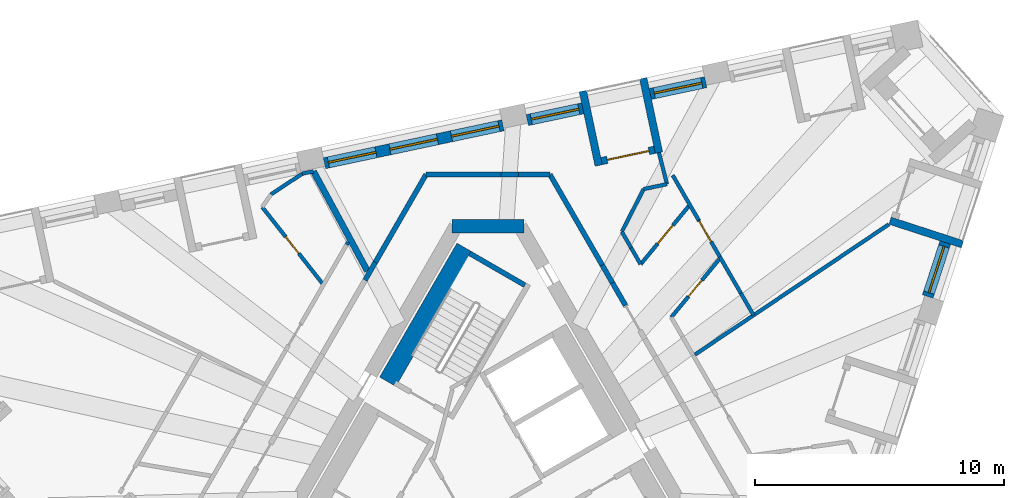
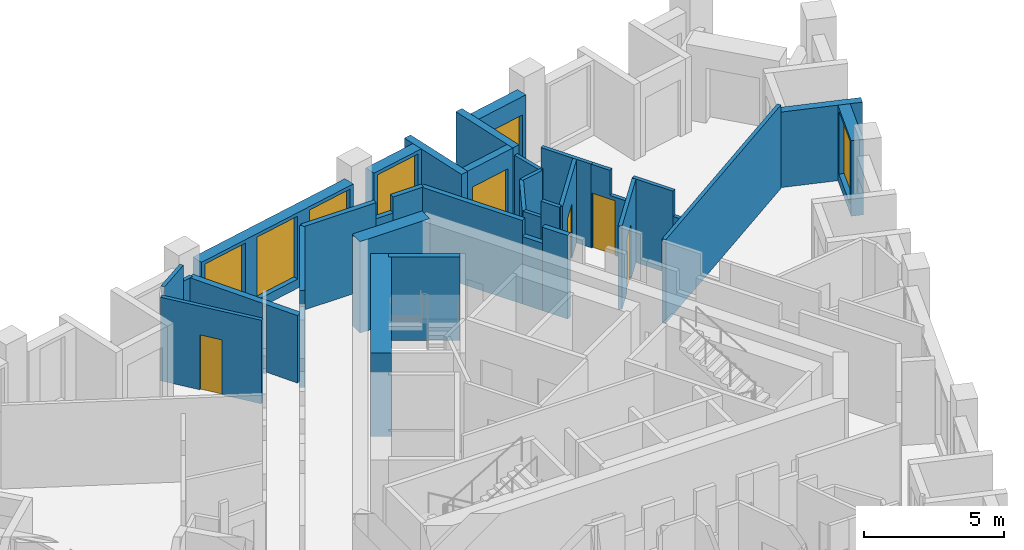
# One storey, part 7 of 12: 36 walls, 6 windows, 5 doors, 11 openings.
"""IFC4 building model written with IfcOpenShell, lengths in metres."""

import ifcopenshell
import ifcopenshell.guid

model = None  # the IFC model being written
_history = None  # IfcOwnerHistory: only IFC2X3 demands one
_inside = {}  # id of a spatial element -> (the spatial element, [elements in it])
_under = {}  # id of a project, library or spatial element -> (it, [spatial elements below it])
_declared = {}  # id of a project -> (the project, [libraries it declares])
_typed = {}  # id of a type object -> (the type object, [elements of that type])
_made_of = {}  # id of a material, layer set ... -> (it, [elements and type objects made of it])


def new_model(schema):
    """Start an empty IFC model of exactly this schema.

    Asked for "IFC4X3", IfcOpenShell would pick the latest addendum, in which some entities
    have other attributes; the version numbers below select the first issue.
    IFC2X3 requires an IfcOwnerHistory on every rooted entity: one is made here for all.
    """
    global model, _history
    if schema == "IFC4X3":
        model = ifcopenshell.file(schema_version=(4, 3, 0, 0))
    else:
        model = ifcopenshell.file(schema=schema)
    _inside.clear()
    _under.clear()
    _declared.clear()
    _typed.clear()
    _made_of.clear()
    _history = None
    if model.schema == "IFC2X3":
        org = make("IfcOrganization", Name="unknown")
        user = make(
            "IfcPersonAndOrganization",
            ThePerson=make("IfcPerson", FamilyName="unknown"),
            TheOrganization=org,
        )
        app = make(
            "IfcApplication",
            ApplicationDeveloper=org,
            Version="unknown",
            ApplicationFullName="unknown",
            ApplicationIdentifier="unknown",
        )
        _history = make(
            "IfcOwnerHistory",
            OwningUser=user,
            OwningApplication=app,
            ChangeAction="ADDED",
            CreationDate=0,
        )
    return model


def make(cls, **values):
    """One entity of the class cls with the attributes given. An attribute that is None is left unset."""
    return model.create_entity(
        cls, **{name: value for name, value in values.items() if value is not None}
    )


def rooted(cls, **values):
    """An entity with a GlobalId (a new one), such as an element, a storey or a relation."""
    return make(cls, GlobalId=ifcopenshell.guid.new(), OwnerHistory=_history, **values)


def si_unit(unit_type, name, prefix=None):
    """IfcSIUnit, for example si_unit("LENGTHUNIT", "METRE", prefix="MILLI")."""
    return make("IfcSIUnit", UnitType=unit_type, Prefix=prefix, Name=name)


def assignment(units):
    """IfcUnitAssignment: the units of a project."""
    return None if units is None else make("IfcUnitAssignment", Units=units)


def point(xyz):
    """IfcCartesianPoint."""
    return None if xyz is None else make("IfcCartesianPoint", Coordinates=xyz)


def direction(xyz):
    """IfcDirection."""
    return None if xyz is None else make("IfcDirection", DirectionRatios=xyz)


def frame(location, z_axis=None, x_axis=None):
    """IfcAxis2Placement3D, a coordinate frame: its origin and axes. An axis left out is left unset."""
    return make(
        "IfcAxis2Placement3D",
        Location=point(location),
        Axis=direction(z_axis),
        RefDirection=direction(x_axis),
    )


def frame_2d(location, x_axis=None):
    """IfcAxis2Placement2D, a coordinate frame in the plane: its origin and x axis."""
    return make(
        "IfcAxis2Placement2D", Location=point(location), RefDirection=direction(x_axis)
    )


def origin():
    """The frame at (0, 0, 0) with its axes left unset."""
    return frame((0.0, 0.0, 0.0))


def place(relative_to, where):
    """IfcLocalPlacement: puts the frame where relative to a parent placement (None: the world)."""
    return make(
        "IfcLocalPlacement", PlacementRelTo=relative_to, RelativePlacement=where
    )


def context(
    kind, dimensions, precision=None, world=None, true_north=None, identifier=None
):
    """IfcGeometricRepresentationContext, for example the 3D "Model" context."""
    return make(
        "IfcGeometricRepresentationContext",
        ContextIdentifier=identifier,
        ContextType=kind,
        CoordinateSpaceDimension=dimensions,
        Precision=precision,
        WorldCoordinateSystem=world,
        TrueNorth=true_north,
    )


def subcontext(parent, identifier, kind, view, scale=None):
    """IfcGeometricRepresentationSubContext, for example "Body" below "Model"."""
    return make(
        "IfcGeometricRepresentationSubContext",
        ContextIdentifier=identifier,
        ContextType=kind,
        ParentContext=parent,
        TargetScale=scale,
        TargetView=view,
    )


def project(units=None, contexts=None):
    """IfcProject with its units and contexts."""
    return rooted(
        "IfcProject",
        Name="project",
        RepresentationContexts=contexts,
        UnitsInContext=assignment(units),
    )


def spatial(cls, under=None, at=None, **own):
    """A site, building, storey or space (cls), placed at a placement, below another one or the project."""
    s = rooted(cls, ObjectPlacement=at, **own)
    if under is not None:
        _under.setdefault(under.id(), (under, []))[1].append(s)
    return s


def polyline(points):
    """IfcPolyline through the points."""
    return make("IfcPolyline", Points=[point(p) for p in points])


def profile(cls, at=None, kind="AREA", **sizes):
    """A parametric profile (cls). Its sizes go by their IFC names, for example OverallWidth=200.0."""
    return make(cls, ProfileType=kind, Position=at, **sizes)


def rectangle(**sizes):
    """IfcRectangleProfileDef."""
    return profile("IfcRectangleProfileDef", **sizes)


def outline(outer, holes=None, kind="AREA"):
    """IfcArbitraryClosedProfileDef: a profile drawn as a closed curve; with holes, ...WithVoids."""
    if holes is None:
        return make("IfcArbitraryClosedProfileDef", ProfileType=kind, OuterCurve=outer)
    return make(
        "IfcArbitraryProfileDefWithVoids",
        ProfileType=kind,
        OuterCurve=outer,
        InnerCurves=holes,
    )


def extrude(swept, where, along, depth):
    """IfcExtrudedAreaSolid: the profile swept, set in the frame where, extruded along a direction by depth."""
    return make(
        "IfcExtrudedAreaSolid",
        SweptArea=swept,
        Position=where,
        ExtrudedDirection=direction(along),
        Depth=depth,
    )


def shape(context_of_items, identifier, shape_type, items):
    """IfcShapeRepresentation: the items that make up one representation, for example the "Body"."""
    return make(
        "IfcShapeRepresentation",
        ContextOfItems=context_of_items,
        RepresentationIdentifier=identifier,
        RepresentationType=shape_type,
        Items=items,
    )


def material(Name=None, Category=None):
    """IfcMaterial."""
    return make("IfcMaterial", Name=Name, Category=Category)


def layer(
    of_material, thickness, ventilated=None, Name=None, Category=None, Priority=None
):
    """IfcMaterialLayer: one layer of a wall or slab, of a material (None: an air gap)."""
    return make(
        "IfcMaterialLayer",
        Material=of_material,
        LayerThickness=thickness,
        IsVentilated=ventilated,
        Name=Name,
        Category=Category,
        Priority=Priority,
    )


def layer_set(layers, Name=None):
    """IfcMaterialLayerSet."""
    return make("IfcMaterialLayerSet", MaterialLayers=layers, LayerSetName=Name)


def made_of(thing, what):
    """Note that an element or type object is made of a material, layer set ...; save() writes the relation."""
    if what is not None:
        _made_of.setdefault(what.id(), (what, []))[1].append(thing)
    return thing


def type_object(cls, material=None, **own):
    """A type object (cls), such as IfcWallType, which elements share."""
    return made_of(rooted(cls, **own), material)


def element(
    cls,
    number,
    at=None,
    inside=None,
    cuts=None,
    type_object=None,
    material=None,
    context=None,
    identifier="Body",
    shape_type=None,
    held_by="IfcProductDefinitionShape",
    body=None,
    shapes=None,
    **own,
):
    """One element of the class cls, such as IfcWall. Its Tag is "e" and its number.

    at: its placement. inside: the storey or other place that contains it. cuts: it is an
    opening in that element (IfcRelVoidsElement). A single representation is given by context,
    identifier, shape_type and body (its items); several are given by shapes. held_by: the class
    of the entity that holds the representations. save() writes the other relations.
    """
    e = rooted(cls, Tag="e%d" % number, ObjectPlacement=at, **own)
    if body is not None:
        shapes = [shape(context, identifier, shape_type, body)]
    if shapes is not None:
        e.Representation = make(held_by, Representations=shapes)
    if inside is not None:
        _inside.setdefault(inside.id(), (inside, []))[1].append(e)
    if cuts is not None:
        rooted(
            "IfcRelVoidsElement", RelatingBuildingElement=cuts, RelatedOpeningElement=e
        )
    if type_object is not None:
        _typed.setdefault(type_object.id(), (type_object, []))[1].append(e)
    return made_of(e, material)


def fill(opening, filler):
    """IfcRelFillsElement: the door or window that sits in an opening."""
    return rooted(
        "IfcRelFillsElement",
        RelatingOpeningElement=opening,
        RelatedBuildingElement=filler,
    )


def aggregate(whole, parts):
    """IfcRelAggregates: a whole, such as a stair, and the parts it consists of."""
    return rooted("IfcRelAggregates", RelatingObject=whole, RelatedObjects=parts)


def save(model, path):
    """Write the relations noted so far, then the file.

    IfcRelAggregates (storeys below a building ...), IfcRelContainedInSpatialStructure (elements
    in a storey), IfcRelDefinesByType, IfcRelAssociatesMaterial and IfcRelDeclares: one each for
    every whole, place, type object, material and project.
    """
    for whole, parts in _under.values():
        aggregate(whole, parts)
    for where, things in _inside.values():
        rooted(
            "IfcRelContainedInSpatialStructure",
            RelatedElements=things,
            RelatingStructure=where,
        )
    for kind, things in _typed.values():
        rooted("IfcRelDefinesByType", RelatedObjects=things, RelatingType=kind)
    for what, things in _made_of.values():
        rooted("IfcRelAssociatesMaterial", RelatedObjects=things, RelatingMaterial=what)
    for by, libraries in _declared.values():
        rooted("IfcRelDeclares", RelatingContext=by, RelatedDefinitions=libraries)
    model.write(path)


model = new_model("IFC4")

# Units and contexts
model_context = context("Model", 3, precision=1e-05, world=origin(), true_north=direction((0.0, 1.0)))
body_context = subcontext(model_context, "Body", "Model", "MODEL_VIEW")
ifc_project = project(units=[si_unit("LENGTHUNIT", "METRE"), si_unit("AREAUNIT", "SQUARE_METRE"), si_unit("VOLUMEUNIT", "CUBIC_METRE"), si_unit("PLANEANGLEUNIT", "RADIAN"), si_unit("MASSUNIT", "GRAM", prefix="KILO")], contexts=[model_context])

# Site, building, storey
site_placement = place(None, origin())
site = spatial("IfcSite", under=ifc_project, at=site_placement, CompositionType="ELEMENT")
building_placement = place(site_placement, origin())
building = spatial("IfcBuilding", under=site, at=building_placement, Name="Tramontana Tower", CompositionType="ELEMENT")
storey_placement = place(building_placement, frame((0.0, 0.0, 340.39990234375)))
storey = spatial("IfcBuildingStorey", under=building, at=storey_placement, Name="L78", CompositionType="ELEMENT", Elevation=340.39990234375)

# Walls
ifc_material_1 = material(Name="Concrete 70 MPa", Category="concrete")
ifc_layer_1 = layer(ifc_material_1, 0.550048828125)
ifc_layer_set_1 = layer_set([ifc_layer_1], Name="Core wall 550 70 MPa")
wall_type_1 = type_object("IfcWallType", Name="Core wall 550 70 MPa", PredefinedType="SHEAR", material=ifc_layer_set_1)
wall_1_placement = place(storey_placement, frame((1.443359375, 10.72509765625, 0.0), z_axis=(0.0, 0.0, 1.0), x_axis=(-1.0, 0.0, 0.0)))
element("IfcWall", 1, at=wall_1_placement, inside=storey, type_object=wall_type_1, Name="Core wall C0 L78", PredefinedType="SHEAR", context=body_context, shape_type="SweptSolid", body=[
    extrude(rectangle(XDim=2.88671875, YDim=0.550048828125, at=frame_2d((1.443359375, 0.0))), origin(), (0.0, 0.0, 1.0), 4.0),
])
ifc_material_2 = material(Name="Blockwork", Category="masonry")
ifc_layer_2 = layer(ifc_material_2, 0.199951171875)
ifc_layer_set_2 = layer_set([ifc_layer_2], Name="ENTRY WALL 200")
wall_type_2 = type_object("IfcWallType", Name="ENTRY WALL 200", PredefinedType="SOLIDWALL", material=ifc_layer_set_2)
wall_2_placement = place(storey_placement, frame((-4.9287109375, 8.563232421875, 0.0), z_axis=(0.0, 0.0, 1.0), x_axis=(0.500046299512, 0.865998671098, 0.0)))
element("IfcWall", 2, at=wall_2_placement, inside=storey, type_object=wall_type_2, Name="Wall v81-ew3-9", PredefinedType="SOLIDWALL", context=body_context, shape_type="SweptSolid", body=[
    extrude(rectangle(XDim=0.82666015625, YDim=0.199951171875, at=frame_2d((0.413330078125, 0.0))), origin(), (0.0, 0.0, 1.0), 2.9501953125),
])
wall_3_placement = place(storey_placement, frame((-4.515380859375, 9.279052734375, 0.0), z_axis=(0.0, 0.0, 1.0), x_axis=(0.499975428181, 0.866039589866, 0.0)))
element("IfcWall", 3, at=wall_3_placement, inside=storey, type_object=wall_type_2, Name="Wall v81-ew3-10", PredefinedType="SOLIDWALL", context=body_context, shape_type="SweptSolid", body=[
    extrude(rectangle(XDim=4.065673828125, YDim=0.199951171875, at=frame_2d((2.03271484375, 0.0))), origin(), (0.0, 0.0, 1.0), 3.650146484375),
])
wall_4_placement = place(storey_placement, frame((-2.482666015625, 12.800048828125, 0.0), z_axis=(0.0, 0.0, 1.0), x_axis=(1.0, 0.0, 0.0)))
element("IfcWall", 4, at=wall_4_placement, inside=storey, type_object=wall_type_2, Name="Wall v81-ew4-0", PredefinedType="SOLIDWALL", context=body_context, shape_type="SweptSolid", body=[
    extrude(rectangle(XDim=3.0029296875, YDim=0.199951171875, at=frame_2d((1.50146484375, 0.0))), origin(), (0.0, 0.0, 1.0), 3.650146484375),
])
wall_5_placement = place(storey_placement, frame((0.520263671875, 12.800048828125, 0.0), z_axis=(0.0, 0.0, 1.0), x_axis=(1.0, 0.0, 0.0)))
element("IfcWall", 5, at=wall_5_placement, inside=storey, type_object=wall_type_2, Name="Wall v81-ew4-1", PredefinedType="SOLIDWALL", context=body_context, shape_type="SweptSolid", body=[
    extrude(rectangle(XDim=0.701416015625, YDim=0.199951171875, at=frame_2d((0.3505859375, 0.0))), origin(), (0.0, 0.0, 1.0), 2.9501953125),
])
wall_6_placement = place(storey_placement, frame((1.2216796875, 12.800048828125, 0.0), z_axis=(0.0, 0.0, 1.0), x_axis=(1.0, 0.0, 0.0)))
element("IfcWall", 6, at=wall_6_placement, inside=storey, type_object=wall_type_2, Name="Wall v81-ew4-2", PredefinedType="SOLIDWALL", context=body_context, shape_type="SweptSolid", body=[
    extrude(rectangle(XDim=1.260986328125, YDim=0.199951171875, at=frame_2d((0.63037109375, 0.0))), origin(), (0.0, 0.0, 1.0), 3.650146484375),
])
wall_7_placement = place(storey_placement, frame((2.482666015625, 12.800048828125, 0.0), z_axis=(0.0, 0.0, 1.0), x_axis=(0.499982771656, -0.866035350345, 0.0)))
element("IfcWall", 7, at=wall_7_placement, inside=storey, type_object=wall_type_2, Name="Wall v81-ew5-0", PredefinedType="SOLIDWALL", context=body_context, shape_type="SweptSolid", body=[
    extrude(rectangle(XDim=4.194580078125, YDim=0.199951171875, at=frame_2d((2.09716796875, 0.0))), origin(), (0.0, 0.0, 1.0), 3.650146484375),
])
wall_8_placement = place(storey_placement, frame((4.579833984375, 9.16748046875, 0.0), z_axis=(0.0, 0.0, 1.0), x_axis=(0.499945576647, -0.866056822842, 0.0)))
element("IfcWall", 8, at=wall_8_placement, inside=storey, type_object=wall_type_2, Name="Wall v81-ew5-1", PredefinedType="SOLIDWALL", context=body_context, shape_type="SweptSolid", body=[
    extrude(rectangle(XDim=0.82080078125, YDim=0.199951171875, at=frame_2d((0.410400390625, 0.0))), origin(), (0.0, 0.0, 1.0), 2.9501953125),
])
wall_9_placement = place(storey_placement, frame((4.990234375, 8.45654296875, 0.0), z_axis=(0.0, 0.0, 1.0), x_axis=(0.500064554934, -0.865988129768, 0.0)))
element("IfcWall", 9, at=wall_9_placement, inside=storey, type_object=wall_type_2, Name="Wall v81-ew5-2", PredefinedType="SOLIDWALL", context=body_context, shape_type="SweptSolid", body=[
    extrude(rectangle(XDim=1.050048828125, YDim=0.199951171875, at=frame_2d((0.52490234375, 0.0))), origin(), (0.0, 0.0, 1.0), 3.650146484375),
])

# Wall, opening, window
ifc_material_3 = material(Name="Precast concrete 60 MPa", Category="concrete")
ifc_layer_3 = layer(ifc_material_3, 0.449951171875)
ifc_layer_set_3 = layer_set([ifc_layer_3], Name="Precast concrete 60 MPa, 450 mm")
wall_type_3 = type_object("IfcWallType", Name="EW1 Stone-faced precast wall 450", PredefinedType="SOLIDWALL", material=ifc_layer_set_3)
wall_10_placement = place(storey_placement, frame((17.632080078125, 7.9091796875, 0.0), z_axis=(0.0, 0.0, 1.0), x_axis=(0.309027740273, 0.951053024674, 0.0)))
wall_10 = element("IfcWall", 10, at=wall_10_placement, inside=storey, type_object=wall_type_3, Name="External wall L78 face 1 bay 5", PredefinedType="SOLIDWALL", context=body_context, shape_type="SweptSolid", body=[
    extrude(rectangle(XDim=2.271240234375, YDim=0.449951171875, at=frame_2d((1.1357421875, 0.0))), origin(), (0.0, 0.0, 1.0), 3.300048828125),
])
opening_1_placement = place(wall_10_placement, frame((0.16064453125, 0.0, 0.39990234375)))
opening_1 = element("IfcOpeningElement", 11, at=opening_1_placement, cuts=wall_10, Name="Opening M3", PredefinedType="OPENING", context=body_context, shape_type="SweptSolid", body=[
    extrude(rectangle(XDim=1.949951171875, YDim=2.75, at=frame_2d((0.97509765625, 1.375))), frame((0.0, 0.23486328125, 0.0), z_axis=(0.0, -1.0, 0.0), x_axis=(1.0, 0.0, 0.0)), (0.0, 0.0, 1.0), 0.469970703125),
])
ifc_material_4 = material(Name="Aluminum frame, double glazing unit", Category="aluminium")
window_type_1 = type_object("IfcWindowType", Name="M3 Window 1.95 x 2.75", PartitioningType="SINGLE_PANEL", PredefinedType="WINDOW", material=ifc_material_4)
window_1_placement = place(opening_1_placement, origin())
window_1 = element("IfcWindow", 12, at=window_1_placement, inside=storey, type_object=window_type_1, Name="Window M3 L78 face 1 module 13", OverallHeight=2.75, OverallWidth=1.949951171875, PartitioningType="SINGLE_PANEL", PredefinedType="WINDOW", context=body_context, shape_type="SweptSolid", body=[
    extrude(rectangle(XDim=1.949951171875, YDim=2.75, at=frame_2d((0.97509765625, 1.375))), frame((0.0, 0.030029296875, 0.0), z_axis=(0.0, -1.0, 0.0), x_axis=(1.0, 0.0, 0.0)), (0.0, 0.0, 1.0), 0.06005859375),
])
fill(opening_1, window_1)

wall_11_placement = place(storey_placement, frame((8.73095703125, 16.500732421875, 0.0), z_axis=(0.0, 0.0, 1.0), x_axis=(-0.978153386925, -0.207884467067, 0.0)))
wall_11 = element("IfcWall", 13, at=wall_11_placement, inside=storey, type_object=wall_type_3, Name="External wall L78 face 2 bay 2", PredefinedType="SOLIDWALL", context=body_context, shape_type="SweptSolid", body=[
    extrude(rectangle(XDim=2.271240234375, YDim=0.449951171875, at=frame_2d((1.1357421875, 0.0))), origin(), (0.0, 0.0, 1.0), 3.300048828125),
])
opening_2_placement = place(wall_11_placement, frame((0.16064453125, 0.0, 0.39990234375)))
opening_2 = element("IfcOpeningElement", 14, at=opening_2_placement, cuts=wall_11, Name="Opening M3L", PredefinedType="OPENING", context=body_context, shape_type="SweptSolid", body=[
    extrude(rectangle(XDim=1.949951171875, YDim=2.10009765625, at=frame_2d((0.97509765625, 1.050048828125))), frame((0.0, 0.23486328125, 0.0), z_axis=(0.0, -1.0, 0.0), x_axis=(1.0, 0.0, 0.0)), (0.0, 0.0, 1.0), 0.469970703125),
])
ifc_material_5 = material(Name="Aluminum frame, double glazing unit", Category="aluminium")
window_type_2 = type_object("IfcWindowType", Name="M3L Window 1.95 x 2.1", PartitioningType="SINGLE_PANEL", PredefinedType="WINDOW", material=ifc_material_5)
window_2_placement = place(opening_2_placement, origin())
window_2 = element("IfcWindow", 15, at=window_2_placement, inside=storey, type_object=window_type_2, Name="Window M3L L78 face 2 module 4", OverallHeight=2.10009765625, OverallWidth=1.949951171875, PartitioningType="SINGLE_PANEL", PredefinedType="WINDOW", context=body_context, shape_type="SweptSolid", body=[
    extrude(rectangle(XDim=1.949951171875, YDim=2.10009765625, at=frame_2d((0.97509765625, 1.050048828125))), frame((0.0, 0.030029296875, 0.0), z_axis=(0.0, -1.0, 0.0), x_axis=(1.0, 0.0, 0.0)), (0.0, 0.0, 1.0), 0.06005859375),
])
fill(opening_2, window_2)

wall_12_placement = place(storey_placement, frame((3.798583984375, 15.452392578125, 0.0), z_axis=(0.0, 0.0, 1.0), x_axis=(-0.978153386925, -0.207884467067, 0.0)))
wall_12 = element("IfcWall", 16, at=wall_12_placement, inside=storey, type_object=wall_type_3, Name="External wall L78 face 2 bay 2", PredefinedType="SOLIDWALL", context=body_context, shape_type="SweptSolid", body=[
    extrude(rectangle(XDim=2.271240234375, YDim=0.449951171875, at=frame_2d((1.1357421875, 0.0))), origin(), (0.0, 0.0, 1.0), 3.300048828125),
])
opening_3_placement = place(wall_12_placement, frame((0.16064453125, 0.0, 0.39990234375)))
opening_3 = element("IfcOpeningElement", 17, at=opening_3_placement, cuts=wall_12, Name="Opening M3", PredefinedType="OPENING", context=body_context, shape_type="SweptSolid", body=[
    extrude(rectangle(XDim=1.949951171875, YDim=2.75, at=frame_2d((0.97509765625, 1.375))), frame((0.0, 0.23486328125, 0.0), z_axis=(0.0, -1.0, 0.0), x_axis=(1.0, 0.0, 0.0)), (0.0, 0.0, 1.0), 0.469970703125),
])
window_3_placement = place(opening_3_placement, origin())
window_3 = element("IfcWindow", 18, at=window_3_placement, inside=storey, type_object=window_type_1, Name="Window M3 L78 face 2 module 6", OverallHeight=2.75, OverallWidth=1.949951171875, PartitioningType="SINGLE_PANEL", PredefinedType="WINDOW", context=body_context, shape_type="SweptSolid", body=[
    extrude(rectangle(XDim=1.949951171875, YDim=2.75, at=frame_2d((0.97509765625, 1.375))), frame((0.0, 0.030029296875, 0.0), z_axis=(0.0, -1.0, 0.0), x_axis=(1.0, 0.0, 0.0)), (0.0, 0.0, 1.0), 0.06005859375),
])
fill(opening_3, window_3)

# Wall, openings, windows
wall_13_placement = place(storey_placement, frame((0.5986328125, 14.772216796875, 0.0), z_axis=(0.0, 0.0, 1.0), x_axis=(-0.978151299843, -0.207894287118, 0.0)))
wall_13 = element("IfcWall", 19, at=wall_13_placement, inside=storey, type_object=wall_type_3, Name="External wall L78 face 2 bay 3", PredefinedType="SOLIDWALL", context=body_context, shape_type="SweptSolid", body=[
    extrude(rectangle(XDim=7.31396484375, YDim=0.449951171875, at=frame_2d((3.656982421875, 0.0))), origin(), (0.0, 0.0, 1.0), 3.300048828125),
])
opening_4_placement = place(wall_13_placement, frame((0.16064453125, 0.0, 0.39990234375)))
opening_4 = element("IfcOpeningElement", 20, at=opening_4_placement, cuts=wall_13, Name="Opening M3", PredefinedType="OPENING", context=body_context, shape_type="SweptSolid", body=[
    extrude(rectangle(XDim=1.949951171875, YDim=2.75, at=frame_2d((0.97509765625, 1.375))), frame((0.0, 0.23486328125, 0.0), z_axis=(0.0, -1.0, 0.0), x_axis=(1.0, 0.0, 0.0)), (0.0, 0.0, 1.0), 0.469970703125),
])
opening_5_placement = place(wall_13_placement, frame((2.681884765625, 0.0, 0.39990234375)))
opening_5 = element("IfcOpeningElement", 21, at=opening_5_placement, cuts=wall_13, Name="Opening M3", PredefinedType="OPENING", context=body_context, shape_type="SweptSolid", body=[
    extrude(rectangle(XDim=1.949951171875, YDim=2.75, at=frame_2d((0.97509765625, 1.375))), frame((0.0, 0.23486328125, 0.0), z_axis=(0.0, -1.0, 0.0), x_axis=(1.0, 0.0, 0.0)), (0.0, 0.0, 1.0), 0.469970703125),
])
opening_6_placement = place(wall_13_placement, frame((5.203125, 0.0, 0.39990234375)))
opening_6 = element("IfcOpeningElement", 22, at=opening_6_placement, cuts=wall_13, Name="Opening M3", PredefinedType="OPENING", context=body_context, shape_type="SweptSolid", body=[
    extrude(rectangle(XDim=1.949951171875, YDim=2.75, at=frame_2d((0.97509765625, 1.375))), frame((0.0, 0.23486328125, 0.0), z_axis=(0.0, -1.0, 0.0), x_axis=(1.0, 0.0, 0.0)), (0.0, 0.0, 1.0), 0.469970703125),
])
window_4_placement = place(opening_4_placement, origin())
window_4 = element("IfcWindow", 23, at=window_4_placement, inside=storey, type_object=window_type_1, Name="Window M3 L78 face 2 module 7", OverallHeight=2.75, OverallWidth=1.949951171875, PartitioningType="SINGLE_PANEL", PredefinedType="WINDOW", context=body_context, shape_type="SweptSolid", body=[
    extrude(rectangle(XDim=1.949951171875, YDim=2.75, at=frame_2d((0.97509765625, 1.375))), frame((0.0, 0.030029296875, 0.0), z_axis=(0.0, -1.0, 0.0), x_axis=(1.0, 0.0, 0.0)), (0.0, 0.0, 1.0), 0.06005859375),
])
fill(opening_4, window_4)
window_5_placement = place(opening_5_placement, origin())
window_5 = element("IfcWindow", 24, at=window_5_placement, inside=storey, type_object=window_type_1, Name="Window M3 L78 face 2 module 8", OverallHeight=2.75, OverallWidth=1.949951171875, PartitioningType="SINGLE_PANEL", PredefinedType="WINDOW", context=body_context, shape_type="SweptSolid", body=[
    extrude(rectangle(XDim=1.949951171875, YDim=2.75, at=frame_2d((0.97509765625, 1.375))), frame((0.0, 0.030029296875, 0.0), z_axis=(0.0, -1.0, 0.0), x_axis=(1.0, 0.0, 0.0)), (0.0, 0.0, 1.0), 0.06005859375),
])
fill(opening_5, window_5)
window_6_placement = place(opening_6_placement, origin())
window_6 = element("IfcWindow", 25, at=window_6_placement, inside=storey, type_object=window_type_1, Name="Window M3 L78 face 2 module 9", OverallHeight=2.75, OverallWidth=1.949951171875, PartitioningType="SINGLE_PANEL", PredefinedType="WINDOW", context=body_context, shape_type="SweptSolid", body=[
    extrude(rectangle(XDim=1.949951171875, YDim=2.75, at=frame_2d((0.97509765625, 1.375))), frame((0.0, 0.030029296875, 0.0), z_axis=(0.0, -1.0, 0.0), x_axis=(1.0, 0.0, 0.0)), (0.0, 0.0, 1.0), 0.06005859375),
])
fill(opening_6, window_6)

# Wall
ifc_material_6 = material(Name="Precast concrete 60 MPa", Category="concrete")
ifc_layer_4 = layer(ifc_material_6, 0.300048828125)
ifc_layer_set_4 = layer_set([ifc_layer_4], Name="LW1 Stone-faced loggia wall 300")
wall_type_4 = type_object("IfcWallType", Name="LW1 Stone-faced loggia wall 300", PredefinedType="SOLIDWALL", material=ifc_layer_set_4)
wall_14_placement = place(storey_placement, frame((19.022216796875, 10.00341796875, 0.0), z_axis=(0.0, 0.0, 1.0), x_axis=(-0.951041715693, 0.309062542235, 0.0)))
element("IfcWall", 26, at=wall_14_placement, inside=storey, type_object=wall_type_4, Name="Loggia return L78 G8S1.13a", PredefinedType="SOLIDWALL", context=body_context, shape_type="SweptSolid", body=[
    extrude(rectangle(XDim=3.050048828125, YDim=0.300048828125, at=frame_2d((1.52490234375, 0.0))), origin(), (0.0, 0.0, 1.0), 3.300048828125),
])

# Wall, opening, door
wall_15_placement = place(storey_placement, frame((6.678466796875, 13.789794921875, 0.0), z_axis=(0.0, 0.0, 1.0), x_axis=(-0.978153135692, -0.207885649183, 0.0)))
wall_15 = element("IfcWall", 27, at=wall_15_placement, inside=storey, type_object=wall_type_4, Name="Loggia wall L78 G8S2.4", PredefinedType="SOLIDWALL", context=body_context, shape_type="SweptSolid", body=[
    extrude(rectangle(XDim=2.17138671875, YDim=0.300048828125, at=frame_2d((1.085693359375, 0.0))), origin(), (0.0, 0.0, 1.0), 3.300048828125),
])
opening_7_placement = place(wall_15_placement, frame((0.235595703125, 0.0, 0.0)))
opening_7 = element("IfcOpeningElement", 28, at=opening_7_placement, cuts=wall_15, Name="Opening BD-8S2-04", PredefinedType="OPENING", context=body_context, shape_type="SweptSolid", body=[
    extrude(rectangle(XDim=1.699951171875, YDim=2.5, at=frame_2d((0.85009765625, 1.25))), frame((0.0, 0.159912109375, 0.0), z_axis=(0.0, -1.0, 0.0), x_axis=(1.0, 0.0, 0.0)), (0.0, 0.0, 1.0), 0.320068359375),
])
ifc_material_7 = material(Name="Aluminum frame, double glazing unit", Category="aluminium")
door_type_1 = type_object("IfcDoorType", Name="BD3 Sliding door 1.7 x 2.5", OperationType="SLIDING_TO_LEFT", PredefinedType="DOOR", material=ifc_material_7)
door_1_placement = place(opening_7_placement, origin())
door_1 = element("IfcDoor", 29, at=door_1_placement, inside=storey, type_object=door_type_1, Name="Loggia door L78 G8S2.4", OperationType="SLIDING_TO_LEFT", OverallHeight=2.5, OverallWidth=1.699951171875, PredefinedType="DOOR", context=body_context, shape_type="SweptSolid", body=[
    extrude(rectangle(XDim=1.699951171875, YDim=2.5, at=frame_2d((0.85009765625, 1.25))), frame((0.0, 0.02490234375, 0.0), z_axis=(0.0, -1.0, 0.0), x_axis=(1.0, 0.0, 0.0)), (0.0, 0.0, 1.0), 0.050048828125),
])
fill(opening_7, door_1)

# Walls
for number, where, z_axis, x_axis, name in (
    (30, (6.22216796875, 16.65771484375, 0.0), (0.0, 0.0, 1.0), (0.207877902534, -0.978154782045, 0.0), "Loggia return L78 G8S2.4a"),
    (31, (3.804931640625, 16.143798828125, 0.0), (0.0, 0.0, 1.0), (0.207877902534, -0.978154782045, 0.0), "Loggia return L78 G8S2.4b"),
):
    element("IfcWall", number, at=place(storey_placement, frame(where, z_axis=z_axis, x_axis=x_axis)), inside=storey, type_object=wall_type_4, Name=name, PredefinedType="SOLIDWALL", context=body_context, shape_type="SweptSolid", body=[
        extrude(rectangle(XDim=3.050048828125, YDim=0.300048828125, at=frame_2d((1.52490234375, 0.0))), origin(), (0.0, 0.0, 1.0), 3.300048828125),
    ])
ifc_material_8 = material(Name="Gypsum board partition")
ifc_layer_5 = layer(ifc_material_8, 0.14990234375)
ifc_layer_set_5 = layer_set([ifc_layer_5], Name="PARTITION 150")
wall_type_5 = type_object("IfcWallType", Name="PARTITION 150", PredefinedType="PARTITIONING", material=ifc_layer_set_5)
wall_16_placement = place(storey_placement, frame((-5.666748046875, 9.984619140625, 0.0), z_axis=(0.0, 0.0, 1.0), x_axis=(0.499323735398, 0.866415493437, 0.0)))
element("IfcWall", 32, at=wall_16_placement, inside=storey, type_object=wall_type_5, Name="Wall v81-pw07-8", PredefinedType="PARTITIONING", context=body_context, shape_type="SweptSolid", body=[
    extrude(rectangle(XDim=0.123779296875, YDim=0.14990234375, at=frame_2d((0.06201171875, 0.0))), origin(), (0.0, 0.0, 1.0), 2.9501953125),
])
wall_17_placement = place(storey_placement, frame((-8.701416015625, 12.000732421875, 0.0), z_axis=(0.0, 0.0, 1.0), x_axis=(0.834111861679, 0.551595324678, 0.0)))
element("IfcWall", 33, at=wall_17_placement, inside=storey, type_object=wall_type_5, Name="Wall v81-pw08", PredefinedType="PARTITIONING", context=body_context, shape_type="SweptSolid", body=[
    extrude(rectangle(XDim=1.508056640625, YDim=0.14990234375, at=frame_2d((0.75390625, 0.0))), origin(), (0.0, 0.0, 1.0), 3.650146484375),
])

# Wall, opening, door
wall_18_placement = place(storey_placement, frame((-9.052001953125, 11.494384765625, 0.0), z_axis=(0.0, 0.0, 1.0), x_axis=(0.618736062821, -0.785598933658, 0.0)))
wall_18 = element("IfcWall", 34, at=wall_18_placement, inside=storey, type_object=wall_type_5, Name="Wall v81-pw10", PredefinedType="PARTITIONING", context=body_context, shape_type="SweptSolid", body=[
    extrude(rectangle(XDim=3.888916015625, YDim=0.14990234375, at=frame_2d((1.9443359375, 0.0))), origin(), (0.0, 0.0, 1.0), 3.650146484375),
])
opening_8_placement = place(wall_18_placement, frame((1.51953125, 0.0, 0.0)))
opening_8 = element("IfcOpeningElement", 35, at=opening_8_placement, cuts=wall_18, Name="Opening B8B-05", PredefinedType="OPENING", context=body_context, shape_type="SweptSolid", body=[
    extrude(rectangle(XDim=0.85009765625, YDim=2.39990234375, at=frame_2d((0.425048828125, 1.199951171875))), frame((0.0, 0.0849609375, 0.0), z_axis=(0.0, -1.0, 0.0), x_axis=(1.0, 0.0, 0.0)), (0.0, 0.0, 1.0), 0.169921875),
])
ifc_material_9 = material(Name="Painted timber", Category="wood")
door_type_2 = type_object("IfcDoorType", Name="DOOR BATH 850", OperationType="SINGLE_SWING_LEFT", PredefinedType="DOOR", material=ifc_material_9)
door_2_placement = place(opening_8_placement, origin())
door_2 = element("IfcDoor", 36, at=door_2_placement, inside=storey, type_object=door_type_2, Name="Door B8B-05", OperationType="SINGLE_SWING_LEFT", OverallHeight=2.39990234375, OverallWidth=0.85009765625, PredefinedType="DOOR", context=body_context, shape_type="SweptSolid", body=[
    extrude(rectangle(XDim=0.85009765625, YDim=2.39990234375, at=frame_2d((0.425048828125, 1.199951171875))), frame((0.0, 0.02490234375, 0.0), z_axis=(0.0, -1.0, 0.0), x_axis=(1.0, 0.0, 0.0)), (0.0, 0.0, 1.0), 0.050048828125),
])
fill(opening_8, door_2)

# Walls
wall_19_placement = place(storey_placement, frame((5.36767578125, 10.5029296875, 0.0), z_axis=(0.0, 0.0, 1.0), x_axis=(0.49999788721, -0.866026623601, 0.0)))
element("IfcWall", 37, at=wall_19_placement, inside=storey, type_object=wall_type_5, Name="Wall v81-pw16-0", PredefinedType="PARTITIONING", context=body_context, shape_type="SweptSolid", body=[
    extrude(rectangle(XDim=0.74169921875, YDim=0.14990234375, at=frame_2d((0.370849609375, 0.0))), origin(), (0.0, 0.0, 1.0), 2.9501953125),
])
wall_20_placement = place(storey_placement, frame((5.738525390625, 9.860595703125, 0.0), z_axis=(0.0, 0.0, 1.0), x_axis=(0.499945245186, -0.866057014183, 0.0)))
element("IfcWall", 38, at=wall_20_placement, inside=storey, type_object=wall_type_5, Name="Wall v81-pw16-1", PredefinedType="PARTITIONING", context=body_context, shape_type="SweptSolid", body=[
    extrude(rectangle(XDim=0.7587890625, YDim=0.14990234375, at=frame_2d((0.37939453125, 0.0))), origin(), (0.0, 0.0, 1.0), 3.650146484375),
])

# Wall, opening, door
wall_21_placement = place(storey_placement, frame((6.123046875, 9.202880859375, 0.0), z_axis=(0.0, 0.0, 1.0), x_axis=(0.637527238258, 0.770427816527, 0.0)))
wall_21 = element("IfcWall", 39, at=wall_21_placement, inside=storey, type_object=wall_type_5, Name="Wall v81-pw17", PredefinedType="PARTITIONING", context=body_context, shape_type="SweptSolid", body=[
    extrude(rectangle(XDim=3.086181640625, YDim=0.14990234375, at=frame_2d((1.54296875, 0.0))), origin(), (0.0, 0.0, 1.0), 3.650146484375),
])
opening_9_placement = place(wall_21_placement, frame((1.068115234375, 0.0, 0.0)))
opening_9 = element("IfcOpeningElement", 40, at=opening_9_placement, cuts=wall_21, Name="Opening B8B-10", PredefinedType="OPENING", context=body_context, shape_type="SweptSolid", body=[
    extrude(rectangle(XDim=0.949951171875, YDim=2.39990234375, at=frame_2d((0.47509765625, 1.199951171875))), frame((0.0, 0.0849609375, 0.0), z_axis=(0.0, -1.0, 0.0), x_axis=(1.0, 0.0, 0.0)), (0.0, 0.0, 1.0), 0.169921875),
])
ifc_material_10 = material(Name="Painted timber", Category="wood")
door_type_3 = type_object("IfcDoorType", Name="DOOR ROOM 950", OperationType="SINGLE_SWING_LEFT", PredefinedType="DOOR", material=ifc_material_10)
door_3_placement = place(opening_9_placement, origin())
door_3 = element("IfcDoor", 41, at=door_3_placement, inside=storey, type_object=door_type_3, Name="Door B8B-10", OperationType="SINGLE_SWING_RIGHT", OverallHeight=2.39990234375, OverallWidth=0.949951171875, PredefinedType="DOOR", context=body_context, shape_type="SweptSolid", body=[
    extrude(rectangle(XDim=0.949951171875, YDim=2.39990234375, at=frame_2d((0.47509765625, 1.199951171875))), frame((0.0, 0.02490234375, 0.0), z_axis=(0.0, -1.0, 0.0), x_axis=(1.0, 0.0, 0.0)), (0.0, 0.0, 1.0), 0.050048828125),
])
fill(opening_9, door_3)

# Walls
wall_22_placement = place(storey_placement, frame((6.24072265625, 12.213623046875, 0.0), z_axis=(0.0, 0.0, 1.0), x_axis=(-0.454983274657, -0.890499983033, 0.0)))
element("IfcWall", 42, at=wall_22_placement, inside=storey, type_object=wall_type_5, Name="Wall v81-pw18-0", PredefinedType="PARTITIONING", context=body_context, shape_type="SweptSolid", body=[
    extrude(rectangle(XDim=1.9189453125, YDim=0.14990234375, at=frame_2d((0.95947265625, 0.0))), origin(), (0.0, 0.0, 1.0), 2.9501953125),
])
wall_23_placement = place(storey_placement, frame((6.856201171875, 13.67431640625, 0.0), z_axis=(0.0, 0.0, 1.0), x_axis=(0.245448654104, -0.969409592586, 0.0)))
element("IfcWall", 43, at=wall_23_placement, inside=storey, type_object=wall_type_5, Name="Wall v81-pw20-0", PredefinedType="PARTITIONING", context=body_context, shape_type="SweptSolid", body=[
    extrude(rectangle(XDim=1.301025390625, YDim=0.14990234375, at=frame_2d((0.650390625, 0.0))), origin(), (0.0, 0.0, 1.0), 2.9501953125),
])
wall_24_placement = place(storey_placement, frame((7.17529296875, 12.4130859375, 0.0), z_axis=(0.0, 0.0, 1.0), x_axis=(-0.978167956207, -0.207815902784, 0.0)))
element("IfcWall", 44, at=wall_24_placement, inside=storey, type_object=wall_type_5, Name="Wall v81-pw23-0", PredefinedType="PARTITIONING", context=body_context, shape_type="SweptSolid", body=[
    extrude(rectangle(XDim=0.953857421875, YDim=0.14990234375, at=frame_2d((0.47705078125, 0.0))), origin(), (0.0, 0.0, 1.0), 2.9501953125),
])
wall_25_placement = place(storey_placement, frame((7.4072265625, 12.7705078125, 0.0), z_axis=(0.0, 0.0, 1.0), x_axis=(0.499963683025, -0.866046370384, 0.0)))
element("IfcWall", 45, at=wall_25_placement, inside=storey, type_object=wall_type_5, Name="Wall v81-pw26-0", PredefinedType="PARTITIONING", context=body_context, shape_type="SweptSolid", body=[
    extrude(rectangle(XDim=2.073486328125, YDim=0.14990234375, at=frame_2d((1.03662109375, 0.0))), origin(), (0.0, 0.0, 1.0), 3.650146484375),
])

# Wall, opening, door
wall_26_placement = place(storey_placement, frame((8.44384765625, 10.974853515625, 0.0), z_axis=(0.0, 0.0, 1.0), x_axis=(0.499958946799, -0.866049104564, 0.0)))
wall_26 = element("IfcWall", 46, at=wall_26_placement, inside=storey, type_object=wall_type_5, Name="Wall v81-pw26-1", PredefinedType="PARTITIONING", context=body_context, shape_type="SweptSolid", body=[
    extrude(outline(polyline([(0.0, 0.0), (1.697998046875, 0.0), (1.69775390625, 2.550048828125), (0.780029296875, 2.550048828125), (0.780029296875, 3.650146484375), (0.0, 3.650146484375), (0.0, 0.0)])), frame((0.0, 0.074951171875, 0.0), z_axis=(0.0, -1.0, 0.0), x_axis=(1.0, 0.0, 0.0)), (0.0, 0.0, 1.0), 0.14990234375),
])
opening_10_placement = place(wall_26_placement, frame((0.050048828125, 0.0, 0.0)))
opening_10 = element("IfcOpeningElement", 47, at=opening_10_placement, cuts=wall_26, Name="Opening B8B-12", PredefinedType="OPENING", context=body_context, shape_type="SweptSolid", body=[
    extrude(rectangle(XDim=0.949951171875, YDim=2.39990234375, at=frame_2d((0.47509765625, 1.199951171875))), frame((0.0, 0.0849609375, 0.0), z_axis=(0.0, -1.0, 0.0), x_axis=(1.0, 0.0, 0.0)), (0.0, 0.0, 1.0), 0.169921875),
])
door_4_placement = place(opening_10_placement, origin())
door_4 = element("IfcDoor", 48, at=door_4_placement, inside=storey, type_object=door_type_3, Name="Door B8B-12", OperationType="SINGLE_SWING_RIGHT", OverallHeight=2.39990234375, OverallWidth=0.949951171875, PredefinedType="DOOR", context=body_context, shape_type="SweptSolid", body=[
    extrude(rectangle(XDim=0.949951171875, YDim=2.39990234375, at=frame_2d((0.47509765625, 1.199951171875))), frame((0.0, 0.02490234375, 0.0), z_axis=(0.0, -1.0, 0.0), x_axis=(1.0, 0.0, 0.0)), (0.0, 0.0, 1.0), 0.050048828125),
])
fill(opening_10, door_4)

# Walls
wall_27_placement = place(storey_placement, frame((9.292724609375, 9.50439453125, 0.0), z_axis=(0.0, 0.0, 1.0), x_axis=(0.500046963369, -0.865998287773, 0.0)))
element("IfcWall", 49, at=wall_27_placement, inside=storey, type_object=wall_type_5, Name="Wall v81-pw26-2", PredefinedType="PARTITIONING", context=body_context, shape_type="SweptSolid", body=[
    extrude(rectangle(XDim=1.693115234375, YDim=0.14990234375, at=frame_2d((0.8466796875, 0.0))), origin(), (0.0, 0.0, 1.0), 3.650146484375),
])
wall_28_placement = place(storey_placement, frame((10.139404296875, 8.0380859375, 0.0), z_axis=(0.0, 0.0, 1.0), x_axis=(0.49999308822, -0.866029394266, 0.0)))
element("IfcWall", 50, at=wall_28_placement, inside=storey, type_object=wall_type_5, Name="Wall v81-pw26-3", PredefinedType="PARTITIONING", context=body_context, shape_type="SweptSolid", body=[
    extrude(rectangle(XDim=1.01513671875, YDim=0.14990234375, at=frame_2d((0.507568359375, 0.0))), origin(), (0.0, 0.0, 1.0), 2.550048828125),
])

# Wall, opening, door
wall_29_placement = place(storey_placement, frame((9.2685546875, 9.396240234375, 0.0), z_axis=(0.0, 0.0, 1.0), x_axis=(-0.637589281978, -0.770376471283, 0.0)))
wall_29 = element("IfcWall", 51, at=wall_29_placement, inside=storey, type_object=wall_type_5, Name="Wall v81-pw30", PredefinedType="PARTITIONING", context=body_context, shape_type="SweptSolid", body=[
    extrude(rectangle(XDim=3.01171875, YDim=0.14990234375, at=frame_2d((1.505859375, 0.0))), origin(), (0.0, 0.0, 1.0), 3.650146484375),
])
opening_11_placement = place(wall_29_placement, frame((1.080810546875, 0.0, 0.0)))
opening_11 = element("IfcOpeningElement", 52, at=opening_11_placement, cuts=wall_29, Name="Opening B8B-11", PredefinedType="OPENING", context=body_context, shape_type="SweptSolid", body=[
    extrude(rectangle(XDim=0.85009765625, YDim=2.39990234375, at=frame_2d((0.425048828125, 1.199951171875))), frame((0.0, 0.0849609375, 0.0), z_axis=(0.0, -1.0, 0.0), x_axis=(1.0, 0.0, 0.0)), (0.0, 0.0, 1.0), 0.169921875),
])
door_5_placement = place(opening_11_placement, origin())
door_5 = element("IfcDoor", 53, at=door_5_placement, inside=storey, type_object=door_type_2, Name="Door B8B-11", OperationType="SINGLE_SWING_LEFT", OverallHeight=2.39990234375, OverallWidth=0.85009765625, PredefinedType="DOOR", context=body_context, shape_type="SweptSolid", body=[
    extrude(rectangle(XDim=0.85009765625, YDim=2.39990234375, at=frame_2d((0.425048828125, 1.199951171875))), frame((0.0, 0.02490234375, 0.0), z_axis=(0.0, -1.0, 0.0), x_axis=(1.0, 0.0, 0.0)), (0.0, 0.0, 1.0), 0.050048828125),
])
fill(opening_11, door_5)

# Walls
wall_30_placement = place(storey_placement, frame((16.0751953125, 10.80322265625, 0.0), z_axis=(0.0, 0.0, 1.0), x_axis=(-0.829988156032, -0.557781015137, 0.0)))
element("IfcWall", 54, at=wall_30_placement, inside=storey, type_object=wall_type_5, Name="Wall v81-pw36", PredefinedType="PARTITIONING", context=body_context, shape_type="SweptSolid", body=[
    extrude(rectangle(XDim=9.369873046875, YDim=0.14990234375, at=frame_2d((4.68505859375, 0.0))), origin(), (0.0, 0.0, 1.0), 3.650146484375),
])
wall_31_placement = place(storey_placement, frame((-7.443603515625, 12.83251953125, 0.0), z_axis=(0.0, 0.0, 1.0), x_axis=(0.978075778023, 0.208249303586, 0.0)))
element("IfcWall", 55, at=wall_31_placement, inside=storey, type_object=wall_type_5, Name="Wall v81-pwc01-0", PredefinedType="PARTITIONING", context=body_context, shape_type="SweptSolid", body=[
    extrude(rectangle(XDim=0.4560546875, YDim=0.14990234375, at=frame_2d((0.22802734375, 0.0))), origin(), (0.0, 0.0, 1.0), 2.9501953125),
])
ifc_material_11 = material(Name="Blockwork", Category="masonry")
ifc_layer_6 = layer(ifc_material_11, 0.25)
ifc_layer_set_6 = layer_set([ifc_layer_6], Name="PARTY WALL 250")
wall_type_6 = type_object("IfcWallType", Name="PARTY WALL 250", PredefinedType="SOLIDWALL", material=ifc_layer_set_6)
wall_32_placement = place(storey_placement, frame((-6.99755859375, 12.927490234375, 0.0), z_axis=(0.0, 0.0, 1.0), x_axis=(0.476016735914, -0.879436221184, 0.0)))
element("IfcWall", 56, at=wall_32_placement, inside=storey, type_object=wall_type_6, Name="Wall v81-pw09-0", PredefinedType="SOLIDWALL", context=body_context, shape_type="SweptSolid", body=[
    extrude(rectangle(XDim=4.546630859375, YDim=0.25, at=frame_2d((2.2734375, 0.0))), origin(), (0.0, 0.0, 1.0), 2.9501953125),
])
ifc_material_12 = material(Name="Concrete 70 MPa", Category="concrete")
ifc_layer_7 = layer(ifc_material_12, 0.75)
ifc_layer_set_7 = layer_set([ifc_layer_7], Name="Concrete 70 MPa, 750 mm")
wall_type_7 = type_object("IfcWallType", Name="RC SHAFT BACK WALL 750", PredefinedType="SOLIDWALL", material=ifc_layer_set_7)
wall_33_placement = place(storey_placement, frame((-0.91796875, 9.85986328125, 0.0), z_axis=(0.0, 0.0, 1.0), x_axis=(-0.500026960575, -0.86600983753, 0.0)))
element("IfcWall", 57, at=wall_33_placement, inside=storey, type_object=wall_type_7, Name="Wall st1-back", PredefinedType="SOLIDWALL", context=body_context, shape_type="SweptSolid", body=[
    extrude(rectangle(XDim=6.199951171875, YDim=0.75, at=frame_2d((3.10009765625, 0.0))), origin(), (0.0, 0.0, 1.0), 3.650146484375),
])
ifc_material_13 = material(Name="Concrete 70 MPa", Category="concrete")
ifc_layer_8 = layer(ifc_material_13, 0.199951171875)
ifc_layer_set_8 = layer_set([ifc_layer_8], Name="Concrete 70 MPa, 200 mm")
wall_type_8 = type_object("IfcWallType", Name="RC STAIR AND SHAFT WALL 200", PredefinedType="SOLIDWALL", material=ifc_layer_set_8)
wall_34_placement = place(storey_placement, frame((1.478515625, 8.36083984375, 0.0), z_axis=(0.0, 0.0, 1.0), x_axis=(-0.865989465428, 0.500062241894, 0.0)))
element("IfcWall", 58, at=wall_34_placement, inside=storey, type_object=wall_type_8, Name="Wall st1-far", PredefinedType="SOLIDWALL", context=body_context, shape_type="SweptSolid", body=[
    extrude(rectangle(XDim=2.550048828125, YDim=0.199951171875, at=frame_2d((1.27490234375, 0.0))), origin(), (0.0, 0.0, 1.0), 3.650146484375),
])

save(model, "model.ifc")
